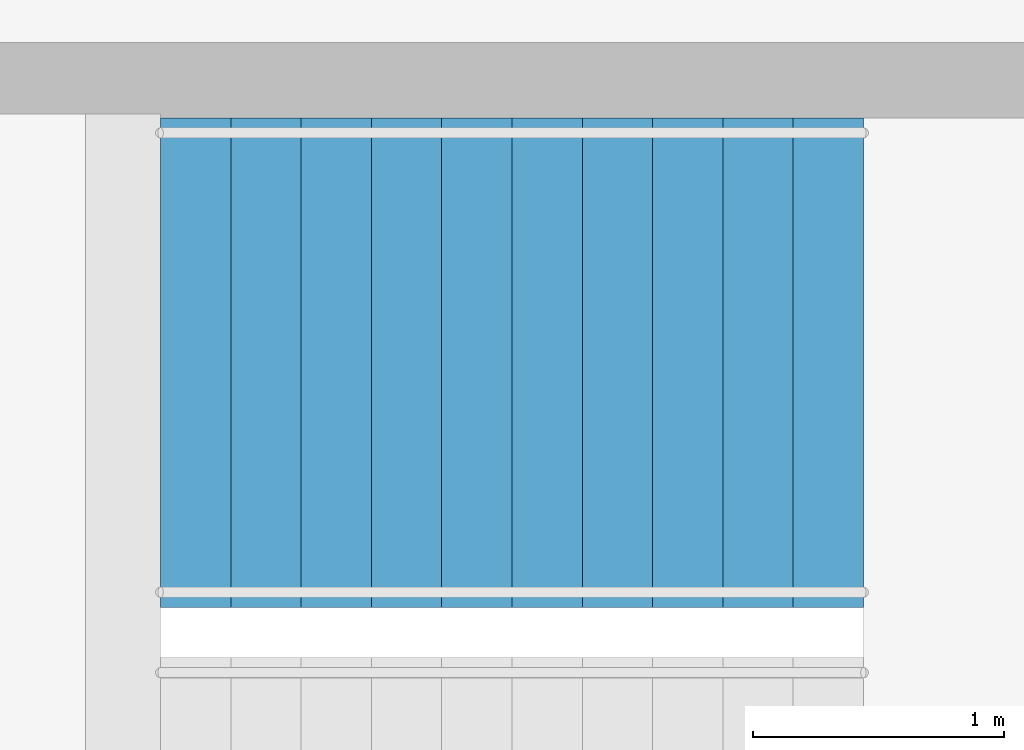
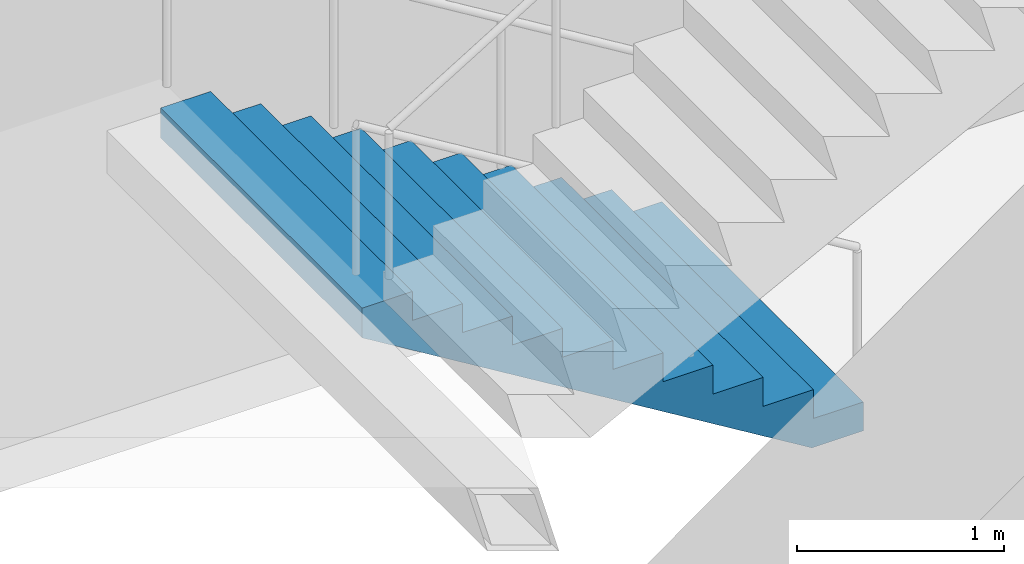
# One storey, part 23 of 24: 1 stair flight, 1 element without a shape of its own.
"""IFC4 building model written with IfcOpenShell, lengths in metres."""

import ifcopenshell
import ifcopenshell.guid

model = None  # the IFC model being written
_history = None  # IfcOwnerHistory: only IFC2X3 demands one
_inside = {}  # id of a spatial element -> (the spatial element, [elements in it])
_under = {}  # id of a project, library or spatial element -> (it, [spatial elements below it])
_declared = {}  # id of a project -> (the project, [libraries it declares])
_typed = {}  # id of a type object -> (the type object, [elements of that type])
_made_of = {}  # id of a material, layer set ... -> (it, [elements and type objects made of it])


def new_model(schema):
    """Start an empty IFC model of exactly this schema.

    Asked for "IFC4X3", IfcOpenShell would pick the latest addendum, in which some entities
    have other attributes; the version numbers below select the first issue.
    IFC2X3 requires an IfcOwnerHistory on every rooted entity: one is made here for all.
    """
    global model, _history
    if schema == "IFC4X3":
        model = ifcopenshell.file(schema_version=(4, 3, 0, 0))
    else:
        model = ifcopenshell.file(schema=schema)
    _inside.clear()
    _under.clear()
    _declared.clear()
    _typed.clear()
    _made_of.clear()
    _history = None
    if model.schema == "IFC2X3":
        org = make("IfcOrganization", Name="unknown")
        user = make(
            "IfcPersonAndOrganization",
            ThePerson=make("IfcPerson", FamilyName="unknown"),
            TheOrganization=org,
        )
        app = make(
            "IfcApplication",
            ApplicationDeveloper=org,
            Version="unknown",
            ApplicationFullName="unknown",
            ApplicationIdentifier="unknown",
        )
        _history = make(
            "IfcOwnerHistory",
            OwningUser=user,
            OwningApplication=app,
            ChangeAction="ADDED",
            CreationDate=0,
        )
    return model


def make(cls, **values):
    """One entity of the class cls with the attributes given. An attribute that is None is left unset."""
    return model.create_entity(
        cls, **{name: value for name, value in values.items() if value is not None}
    )


def rooted(cls, **values):
    """An entity with a GlobalId (a new one), such as an element, a storey or a relation."""
    return make(cls, GlobalId=ifcopenshell.guid.new(), OwnerHistory=_history, **values)


def si_unit(unit_type, name, prefix=None):
    """IfcSIUnit, for example si_unit("LENGTHUNIT", "METRE", prefix="MILLI")."""
    return make("IfcSIUnit", UnitType=unit_type, Prefix=prefix, Name=name)


def assignment(units):
    """IfcUnitAssignment: the units of a project."""
    return None if units is None else make("IfcUnitAssignment", Units=units)


def point(xyz):
    """IfcCartesianPoint."""
    return None if xyz is None else make("IfcCartesianPoint", Coordinates=xyz)


def direction(xyz):
    """IfcDirection."""
    return None if xyz is None else make("IfcDirection", DirectionRatios=xyz)


def frame(location, z_axis=None, x_axis=None):
    """IfcAxis2Placement3D, a coordinate frame: its origin and axes. An axis left out is left unset."""
    return make(
        "IfcAxis2Placement3D",
        Location=point(location),
        Axis=direction(z_axis),
        RefDirection=direction(x_axis),
    )


def origin():
    """The frame at (0, 0, 0) with its axes left unset."""
    return frame((0.0, 0.0, 0.0))


def place(relative_to, where):
    """IfcLocalPlacement: puts the frame where relative to a parent placement (None: the world)."""
    return make(
        "IfcLocalPlacement", PlacementRelTo=relative_to, RelativePlacement=where
    )


def context(
    kind, dimensions, precision=None, world=None, true_north=None, identifier=None
):
    """IfcGeometricRepresentationContext, for example the 3D "Model" context."""
    return make(
        "IfcGeometricRepresentationContext",
        ContextIdentifier=identifier,
        ContextType=kind,
        CoordinateSpaceDimension=dimensions,
        Precision=precision,
        WorldCoordinateSystem=world,
        TrueNorth=true_north,
    )


def subcontext(parent, identifier, kind, view, scale=None):
    """IfcGeometricRepresentationSubContext, for example "Body" below "Model"."""
    return make(
        "IfcGeometricRepresentationSubContext",
        ContextIdentifier=identifier,
        ContextType=kind,
        ParentContext=parent,
        TargetScale=scale,
        TargetView=view,
    )


def project(units=None, contexts=None):
    """IfcProject with its units and contexts."""
    return rooted(
        "IfcProject",
        Name="project",
        RepresentationContexts=contexts,
        UnitsInContext=assignment(units),
    )


def spatial(cls, under=None, at=None, **own):
    """A site, building, storey or space (cls), placed at a placement, below another one or the project."""
    s = rooted(cls, ObjectPlacement=at, **own)
    if under is not None:
        _under.setdefault(under.id(), (under, []))[1].append(s)
    return s


def point_list(points):
    """IfcCartesianPointList2D or 3D."""
    cls = (
        "IfcCartesianPointList2D" if len(points[0]) == 2 else "IfcCartesianPointList3D"
    )
    return make(cls, CoordList=points)


def triangles(points, corners, closed=None, point_numbers=None):
    """IfcTriangulatedFaceSet: each triangle names its three corners, points numbered from 1."""
    return make(
        "IfcTriangulatedFaceSet",
        Coordinates=point_list(points),
        Closed=closed,
        CoordIndex=corners,
        PnIndex=point_numbers,
    )


def shape(context_of_items, identifier, shape_type, items):
    """IfcShapeRepresentation: the items that make up one representation, for example the "Body"."""
    return make(
        "IfcShapeRepresentation",
        ContextOfItems=context_of_items,
        RepresentationIdentifier=identifier,
        RepresentationType=shape_type,
        Items=items,
    )


def material(Name=None, Category=None):
    """IfcMaterial."""
    return make("IfcMaterial", Name=Name, Category=Category)


def made_of(thing, what):
    """Note that an element or type object is made of a material, layer set ...; save() writes the relation."""
    if what is not None:
        _made_of.setdefault(what.id(), (what, []))[1].append(thing)
    return thing


def type_object(cls, material=None, **own):
    """A type object (cls), such as IfcWallType, which elements share."""
    return made_of(rooted(cls, **own), material)


def element(
    cls,
    number,
    at=None,
    inside=None,
    cuts=None,
    type_object=None,
    material=None,
    context=None,
    identifier="Body",
    shape_type=None,
    held_by="IfcProductDefinitionShape",
    body=None,
    shapes=None,
    **own,
):
    """One element of the class cls, such as IfcWall. Its Tag is "e" and its number.

    at: its placement. inside: the storey or other place that contains it. cuts: it is an
    opening in that element (IfcRelVoidsElement). A single representation is given by context,
    identifier, shape_type and body (its items); several are given by shapes. held_by: the class
    of the entity that holds the representations. save() writes the other relations.
    """
    e = rooted(cls, Tag="e%d" % number, ObjectPlacement=at, **own)
    if body is not None:
        shapes = [shape(context, identifier, shape_type, body)]
    if shapes is not None:
        e.Representation = make(held_by, Representations=shapes)
    if inside is not None:
        _inside.setdefault(inside.id(), (inside, []))[1].append(e)
    if cuts is not None:
        rooted(
            "IfcRelVoidsElement", RelatingBuildingElement=cuts, RelatedOpeningElement=e
        )
    if type_object is not None:
        _typed.setdefault(type_object.id(), (type_object, []))[1].append(e)
    return made_of(e, material)


def aggregate(whole, parts):
    """IfcRelAggregates: a whole, such as a stair, and the parts it consists of."""
    return rooted("IfcRelAggregates", RelatingObject=whole, RelatedObjects=parts)


def save(model, path):
    """Write the relations noted so far, then the file.

    IfcRelAggregates (storeys below a building ...), IfcRelContainedInSpatialStructure (elements
    in a storey), IfcRelDefinesByType, IfcRelAssociatesMaterial and IfcRelDeclares: one each for
    every whole, place, type object, material and project.
    """
    for whole, parts in _under.values():
        aggregate(whole, parts)
    for where, things in _inside.values():
        rooted(
            "IfcRelContainedInSpatialStructure",
            RelatedElements=things,
            RelatingStructure=where,
        )
    for kind, things in _typed.values():
        rooted("IfcRelDefinesByType", RelatedObjects=things, RelatingType=kind)
    for what, things in _made_of.values():
        rooted("IfcRelAssociatesMaterial", RelatedObjects=things, RelatingMaterial=what)
    for by, libraries in _declared.values():
        rooted("IfcRelDeclares", RelatingContext=by, RelatedDefinitions=libraries)
    model.write(path)


model = new_model("IFC4")

# Units and contexts
model_context = context("Model", 3, precision=1e-05, world=origin(), true_north=direction((0.0, 1.0)))
body_context = subcontext(model_context, "Body", "Model", "MODEL_VIEW")
ifc_project = project(units=[si_unit("LENGTHUNIT", "METRE"), si_unit("AREAUNIT", "SQUARE_METRE"), si_unit("VOLUMEUNIT", "CUBIC_METRE"), si_unit("PLANEANGLEUNIT", "RADIAN"), si_unit("MASSUNIT", "GRAM", prefix="KILO")], contexts=[model_context])

# Site, building, storey
site_placement = place(None, origin())
site = spatial("IfcSite", under=ifc_project, at=site_placement, CompositionType="ELEMENT")
building_placement = place(site_placement, origin())
building = spatial("IfcBuilding", under=site, at=building_placement, Name="Orbita Commons", CompositionType="ELEMENT")
storey_placement = place(building_placement, frame((0.0, 0.0, 242.800048828125)))
storey = spatial("IfcBuildingStorey", under=building, at=storey_placement, Name="L60", CompositionType="ELEMENT", Elevation=242.800048828125)

# Stair, stair flight
ifc_material_1 = material(Name="Precast concrete C40/50", Category="concrete")
stair_type = type_object("IfcStairType", Name="Exit stair S2 2 flights 11 risers 170", PredefinedType="HALF_TURN_STAIR", material=ifc_material_1)
stair_placement = place(storey_placement, origin())
stair = element("IfcStair", 1, at=stair_placement, inside=storey, type_object=stair_type, Name="Exit stair S2 L60", PredefinedType="HALF_TURN_STAIR")
ifc_material_2 = material(Name="Precast concrete C40/50", Category="concrete")
stair_flight_type = type_object("IfcStairFlightType", Name="Stair flight 11 risers 170 x 280", PredefinedType="STRAIGHT", material=ifc_material_2)
stair_flight_placement = place(storey_placement, frame((63.550048828125, 29.27490234375, 0.0), z_axis=(0.0, 0.0, 1.0), x_axis=(-1.0, 0.0, 0.0)))
stair_flight = element("IfcStairFlight", 2, at=stair_flight_placement, type_object=stair_flight_type, Name="S2 flight 1", NumberOfRisers=11, NumberOfTreads=10, PredefinedType="STRAIGHT", RiserHeight=0.170454545, TreadLength=0.28, context=body_context, shape_type="Tessellation", body=[
    triangles([(0.0, 0.974976, 0.0), (0.0, 0.974976, 0.021307), (0.0, 0.81248, 0.021307), (0.0, 0.81248, 0.0), (0.0, 0.649984, 0.021307), (0.0, 0.649984, 0.0), (0.0, 0.487488, 0.021307), (0.0, 0.487488, 0.0), (0.0, 0.324992, 0.021307), (0.0, 0.324992, 0.0), (0.0, 0.162496, 0.021307), (0.0, 0.162496, 0.0), (0.0, 0.0, 0.021307), (0.0, 0.0, 0.0), (0.0, -0.162496, 0.021307), (0.0, -0.162496, 0.0), (0.0, -0.324992, 0.021307), (0.0, -0.324992, 0.0), (0.0, -0.487488, 0.021307), (0.0, -0.487488, 0.0), (0.0, -0.649984, 0.021307), (0.0, -0.649984, 0.0), (0.0, -0.81248, 0.021307), (0.0, -0.81248, 0.0), (0.0, -0.974976, 0.021307), (0.0, -0.974976, 0.0), (0.0, 0.974976, 0.042614), (0.0, 0.81248, 0.042614), (0.0, 0.649984, 0.042614), (0.0, 0.487488, 0.042614), (0.0, 0.324992, 0.042614), (0.0, 0.162496, 0.042614), (0.0, 0.0, 0.042614), (0.0, -0.162496, 0.042614), (0.0, -0.324992, 0.042614), (0.0, -0.487488, 0.042614), (0.0, -0.649984, 0.042614), (0.0, -0.81248, 0.042614), (0.0, -0.974976, 0.042614), (0.0, 0.974976, 0.06392), (0.0, 0.81248, 0.06392), (0.0, 0.649984, 0.06392), (0.0, 0.487488, 0.06392), (0.0, 0.324992, 0.06392), (0.0, 0.162496, 0.06392), (0.0, 0.0, 0.06392), (0.0, -0.162496, 0.06392), (0.0, -0.324992, 0.06392), (0.0, -0.487488, 0.06392), (0.0, -0.649984, 0.06392), (0.0, -0.81248, 0.06392), (0.0, -0.974976, 0.06392), (0.0, 0.974976, 0.085227), (0.0, 0.81248, 0.085227), (0.0, 0.649984, 0.085227), (0.0, 0.487488, 0.085227), (0.0, 0.324992, 0.085227), (0.0, 0.162496, 0.085227), (0.0, 0.0, 0.085227), (0.0, -0.162496, 0.085227), (0.0, -0.324992, 0.085227), (0.0, -0.487488, 0.085227), (0.0, -0.649984, 0.085227), (0.0, -0.81248, 0.085227), (0.0, -0.974976, 0.085227), (0.0, 0.974976, 0.106534), (0.0, 0.81248, 0.106534), (0.0, 0.649984, 0.106534), (0.0, 0.487488, 0.106534), (0.0, 0.324992, 0.106534), (0.0, 0.162496, 0.106534), (0.0, 0.0, 0.106534), (0.0, -0.162496, 0.106534), (0.0, -0.324992, 0.106534), (0.0, -0.487488, 0.106534), (0.0, -0.649984, 0.106534), (0.0, -0.81248, 0.106534), (0.0, -0.974976, 0.106534), (0.0, 0.974976, 0.127841), (0.0, 0.81248, 0.127841), (0.0, 0.649984, 0.127841), (0.0, 0.487488, 0.127841), (0.0, 0.324992, 0.127841), (0.0, 0.162496, 0.127841), (0.0, 0.0, 0.127841), (0.0, -0.162496, 0.127841), (0.0, -0.324992, 0.127841), (0.0, -0.487488, 0.127841), (0.0, -0.649984, 0.127841), (0.0, -0.81248, 0.127841), (0.0, -0.974976, 0.127841), (0.0, 0.974976, 0.149148), (0.0, 0.81248, 0.149148), (0.0, 0.649984, 0.149148), (0.0, 0.487488, 0.149148), (0.0, 0.324992, 0.149148), (0.0, 0.162496, 0.149148), (0.0, 0.0, 0.149148), (0.0, -0.162496, 0.149148), (0.0, -0.324992, 0.149148), (0.0, -0.487488, 0.149148), (0.0, -0.649984, 0.149148), (0.0, -0.81248, 0.149148), (0.0, -0.974976, 0.149148), (0.0, 0.974976, 0.170455), (0.0, 0.81248, 0.170455), (0.0, 0.649984, 0.170455), (0.0, 0.487488, 0.170455), (0.0, 0.324992, 0.170455), (0.0, 0.162496, 0.170455), (0.0, 0.0, 0.170455), (0.0, -0.162496, 0.170455), (0.0, -0.324992, 0.170455), (0.0, -0.487488, 0.170455), (0.0, -0.649984, 0.170455), (0.0, -0.81248, 0.170455), (0.0, -0.974976, 0.170455), (0.28, 0.974976, 0.170455), (0.28, 0.81248, 0.170455), (0.28, 0.649984, 0.170455), (0.28, 0.487488, 0.170455), (0.28, 0.324992, 0.170455), (0.28, 0.162496, 0.170455), (0.28, 0.0, 0.170455), (0.28, -0.162496, 0.170455), (0.28, -0.324992, 0.170455), (0.28, -0.487488, 0.170455), (0.28, -0.649984, 0.170455), (0.28, -0.81248, 0.170455), (0.28, -0.974976, 0.170455), (0.28, 0.974976, 0.340909), (0.28, 0.81248, 0.340909), (0.28, 0.649984, 0.340909), (0.28, 0.487488, 0.340909), (0.28, 0.324992, 0.340909), (0.28, 0.162496, 0.340909), (0.28, 0.0, 0.340909), (0.28, -0.162496, 0.340909), (0.28, -0.324992, 0.340909), (0.28, -0.487488, 0.340909), (0.28, -0.649984, 0.340909), (0.28, -0.81248, 0.340909), (0.28, -0.974976, 0.340909), (0.56, 0.974976, 0.340909), (0.56, 0.81248, 0.340909), (0.56, 0.649984, 0.340909), (0.56, 0.487488, 0.340909), (0.56, 0.324992, 0.340909), (0.56, 0.162496, 0.340909), (0.56, 0.0, 0.340909), (0.56, -0.162496, 0.340909), (0.56, -0.324992, 0.340909), (0.56, -0.487488, 0.340909), (0.56, -0.649984, 0.340909), (0.56, -0.81248, 0.340909), (0.56, -0.974976, 0.340909), (0.56, 0.974976, 0.511364), (0.56, 0.81248, 0.511364), (0.56, 0.649984, 0.511364), (0.56, 0.487488, 0.511364), (0.56, 0.324992, 0.511364), (0.56, 0.162496, 0.511364), (0.56, 0.0, 0.511364), (0.56, -0.162496, 0.511364), (0.56, -0.324992, 0.511364), (0.56, -0.487488, 0.511364), (0.56, -0.649984, 0.511364), (0.56, -0.81248, 0.511364), (0.56, -0.974976, 0.511364), (0.84, 0.974976, 0.511364), (0.84, 0.81248, 0.511364), (0.84, 0.649984, 0.511364), (0.84, 0.487488, 0.511364), (0.84, 0.324992, 0.511364), (0.84, 0.162496, 0.511364), (0.84, 0.0, 0.511364), (0.84, -0.162496, 0.511364), (0.84, -0.324992, 0.511364), (0.84, -0.487488, 0.511364), (0.84, -0.649984, 0.511364), (0.84, -0.81248, 0.511364), (0.84, -0.974976, 0.511364), (0.84, 0.974976, 0.681818), (0.84, 0.81248, 0.681818), (0.84, 0.649984, 0.681818), (0.84, 0.487488, 0.681818), (0.84, 0.324992, 0.681818), (0.84, 0.162496, 0.681818), (0.84, 0.0, 0.681818), (0.84, -0.162496, 0.681818), (0.84, -0.324992, 0.681818), (0.84, -0.487488, 0.681818), (0.84, -0.649984, 0.681818), (0.84, -0.81248, 0.681818), (0.84, -0.974976, 0.681818), (1.12, 0.974976, 0.681818), (1.12, 0.81248, 0.681818), (1.12, 0.649984, 0.681818), (1.12, 0.487488, 0.681818), (1.12, 0.324992, 0.681818), (1.12, 0.162496, 0.681818), (1.12, 0.0, 0.681818), (1.12, -0.162496, 0.681818), (1.12, -0.324992, 0.681818), (1.12, -0.487488, 0.681818), (1.12, -0.649984, 0.681818), (1.12, -0.81248, 0.681818), (1.12, -0.974976, 0.681818), (1.12, 0.974976, 0.852273), (1.12, 0.81248, 0.852273), (1.12, 0.649984, 0.852273), (1.12, 0.487488, 0.852273), (1.12, 0.324992, 0.852273), (1.12, 0.162496, 0.852273), (1.12, 0.0, 0.852273), (1.12, -0.162496, 0.852273), (1.12, -0.324992, 0.852273), (1.12, -0.487488, 0.852273), (1.12, -0.649984, 0.852273), (1.12, -0.81248, 0.852273), (1.12, -0.974976, 0.852273), (1.4, 0.974976, 0.852273), (1.4, 0.81248, 0.852273), (1.4, 0.649984, 0.852273), (1.4, 0.487488, 0.852273), (1.4, 0.324992, 0.852273), (1.4, 0.162496, 0.852273), (1.4, 0.0, 0.852273), (1.4, -0.162496, 0.852273), (1.4, -0.324992, 0.852273), (1.4, -0.487488, 0.852273), (1.4, -0.649984, 0.852273), (1.4, -0.81248, 0.852273), (1.4, -0.974976, 0.852273), (1.4, 0.974976, 1.022727), (1.4, 0.81248, 1.022727), (1.4, 0.649984, 1.022727), (1.4, 0.487488, 1.022727), (1.4, 0.324992, 1.022727), (1.4, 0.162496, 1.022727), (1.4, 0.0, 1.022727), (1.4, -0.162496, 1.022727), (1.4, -0.324992, 1.022727), (1.4, -0.487488, 1.022727), (1.4, -0.649984, 1.022727), (1.4, -0.81248, 1.022727), (1.4, -0.974976, 1.022727), (1.68, 0.974976, 1.022727), (1.68, 0.81248, 1.022727), (1.68, 0.649984, 1.022727), (1.68, 0.487488, 1.022727), (1.68, 0.324992, 1.022727), (1.68, 0.162496, 1.022727), (1.68, 0.0, 1.022727), (1.68, -0.162496, 1.022727), (1.68, -0.324992, 1.022727), (1.68, -0.487488, 1.022727), (1.68, -0.649984, 1.022727), (1.68, -0.81248, 1.022727), (1.68, -0.974976, 1.022727), (1.68, 0.974976, 1.193182), (1.68, 0.81248, 1.193182), (1.68, 0.649984, 1.193182), (1.68, 0.487488, 1.193182), (1.68, 0.324992, 1.193182), (1.68, 0.162496, 1.193182), (1.68, 0.0, 1.193182), (1.68, -0.162496, 1.193182), (1.68, -0.324992, 1.193182), (1.68, -0.487488, 1.193182), (1.68, -0.649984, 1.193182), (1.68, -0.81248, 1.193182), (1.68, -0.974976, 1.193182), (1.96, 0.974976, 1.193182), (1.96, 0.81248, 1.193182), (1.96, 0.649984, 1.193182), (1.96, 0.487488, 1.193182), (1.96, 0.324992, 1.193182), (1.96, 0.162496, 1.193182), (1.96, 0.0, 1.193182), (1.96, -0.162496, 1.193182), (1.96, -0.324992, 1.193182), (1.96, -0.487488, 1.193182), (1.96, -0.649984, 1.193182), (1.96, -0.81248, 1.193182), (1.96, -0.974976, 1.193182), (1.96, 0.974976, 1.363636), (1.96, 0.81248, 1.363636), (1.96, 0.649984, 1.363636), (1.96, 0.487488, 1.363636), (1.96, 0.324992, 1.363636), (1.96, 0.162496, 1.363636), (1.96, 0.0, 1.363636), (1.96, -0.162496, 1.363636), (1.96, -0.324992, 1.363636), (1.96, -0.487488, 1.363636), (1.96, -0.649984, 1.363636), (1.96, -0.81248, 1.363636), (1.96, -0.974976, 1.363636), (2.24, 0.974976, 1.363636), (2.24, 0.81248, 1.363636), (2.24, 0.649984, 1.363636), (2.24, 0.487488, 1.363636), (2.24, 0.324992, 1.363636), (2.24, 0.162496, 1.363636), (2.24, 0.0, 1.363636), (2.24, -0.162496, 1.363636), (2.24, -0.324992, 1.363636), (2.24, -0.487488, 1.363636), (2.24, -0.649984, 1.363636), (2.24, -0.81248, 1.363636), (2.24, -0.974976, 1.363636), (2.24, 0.974976, 1.534091), (2.24, 0.81248, 1.534091), (2.24, 0.649984, 1.534091), (2.24, 0.487488, 1.534091), (2.24, 0.324992, 1.534091), (2.24, 0.162496, 1.534091), (2.24, 0.0, 1.534091), (2.24, -0.162496, 1.534091), (2.24, -0.324992, 1.534091), (2.24, -0.487488, 1.534091), (2.24, -0.649984, 1.534091), (2.24, -0.81248, 1.534091), (2.24, -0.974976, 1.534091), (2.52, 0.974976, 1.534091), (2.52, 0.81248, 1.534091), (2.52, 0.649984, 1.534091), (2.52, 0.487488, 1.534091), (2.52, 0.324992, 1.534091), (2.52, 0.162496, 1.534091), (2.52, 0.0, 1.534091), (2.52, -0.162496, 1.534091), (2.52, -0.324992, 1.534091), (2.52, -0.487488, 1.534091), (2.52, -0.649984, 1.534091), (2.52, -0.81248, 1.534091), (2.52, -0.974976, 1.534091), (2.52, 0.974976, 1.704545), (2.52, 0.81248, 1.704545), (2.52, 0.649984, 1.704545), (2.52, 0.487488, 1.704545), (2.52, 0.324992, 1.704545), (2.52, 0.162496, 1.704545), (2.52, 0.0, 1.704545), (2.52, -0.162496, 1.704545), (2.52, -0.324992, 1.704545), (2.52, -0.487488, 1.704545), (2.52, -0.649984, 1.704545), (2.52, -0.81248, 1.704545), (2.52, -0.974976, 1.704545), (2.8, 0.974976, 1.704545), (2.8, 0.81248, 1.704545), (2.8, 0.649984, 1.704545), (2.8, 0.487488, 1.704545), (2.8, 0.324992, 1.704545), (2.8, 0.162496, 1.704545), (2.8, 0.0, 1.704545), (2.8, -0.162496, 1.704545), (2.8, -0.324992, 1.704545), (2.8, -0.487488, 1.704545), (2.8, -0.649984, 1.704545), (2.8, -0.81248, 1.704545), (2.8, -0.974976, 1.704545), (2.8, 0.974976, 1.682609), (2.8, 0.81248, 1.682609), (2.8, 0.649984, 1.682609), (2.8, 0.487488, 1.682609), (2.8, 0.324992, 1.682609), (2.8, 0.162496, 1.682609), (2.8, 0.0, 1.682609), (2.8, -0.162496, 1.682609), (2.8, -0.324992, 1.682609), (2.8, -0.487488, 1.682609), (2.8, -0.649984, 1.682609), (2.8, -0.81248, 1.682609), (2.8, -0.974976, 1.682609), (2.8, 0.974976, 1.660672), (2.8, 0.81248, 1.660672), (2.8, 0.649984, 1.660672), (2.8, 0.487488, 1.660672), (2.8, 0.324992, 1.660672), (2.8, 0.162496, 1.660672), (2.8, 0.0, 1.660672), (2.8, -0.162496, 1.660672), (2.8, -0.324992, 1.660672), (2.8, -0.487488, 1.660672), (2.8, -0.649984, 1.660672), (2.8, -0.81248, 1.660672), (2.8, -0.974976, 1.660672), (2.8, 0.974976, 1.638735), (2.8, 0.81248, 1.638735), (2.8, 0.649984, 1.638735), (2.8, 0.487488, 1.638735), (2.8, 0.324992, 1.638735), (2.8, 0.162496, 1.638735), (2.8, 0.0, 1.638735), (2.8, -0.162496, 1.638735), (2.8, -0.324992, 1.638735), (2.8, -0.487488, 1.638735), (2.8, -0.649984, 1.638735), (2.8, -0.81248, 1.638735), (2.8, -0.974976, 1.638735), (2.8, 0.974976, 1.616798), (2.8, 0.81248, 1.616798), (2.8, 0.649984, 1.616798), (2.8, 0.487488, 1.616798), (2.8, 0.324992, 1.616798), (2.8, 0.162496, 1.616798), (2.8, 0.0, 1.616798), (2.8, -0.162496, 1.616798), (2.8, -0.324992, 1.616798), (2.8, -0.487488, 1.616798), (2.8, -0.649984, 1.616798), (2.8, -0.81248, 1.616798), (2.8, -0.974976, 1.616798), (2.8, 0.974976, 1.594861), (2.8, 0.81248, 1.594861), (2.8, 0.649984, 1.594861), (2.8, 0.487488, 1.594861), (2.8, 0.324992, 1.594861), (2.8, 0.162496, 1.594861), (2.8, 0.0, 1.594861), (2.8, -0.162496, 1.594861), (2.8, -0.324992, 1.594861), (2.8, -0.487488, 1.594861), (2.8, -0.649984, 1.594861), (2.8, -0.81248, 1.594861), (2.8, -0.974976, 1.594861), (2.8, 0.974976, 1.572925), (2.8, 0.81248, 1.572925), (2.8, 0.649984, 1.572925), (2.8, 0.487488, 1.572925), (2.8, 0.324992, 1.572925), (2.8, 0.162496, 1.572925), (2.8, 0.0, 1.572925), (2.8, -0.162496, 1.572925), (2.8, -0.324992, 1.572925), (2.8, -0.487488, 1.572925), (2.8, -0.649984, 1.572925), (2.8, -0.81248, 1.572925), (2.8, -0.974976, 1.572925), (2.8, 0.974976, 1.550988), (2.8, 0.81248, 1.550988), (2.8, 0.649984, 1.550988), (2.8, 0.487488, 1.550988), (2.8, 0.324992, 1.550988), (2.8, 0.162496, 1.550988), (2.8, 0.0, 1.550988), (2.8, -0.162496, 1.550988), (2.8, -0.324992, 1.550988), (2.8, -0.487488, 1.550988), (2.8, -0.649984, 1.550988), (2.8, -0.81248, 1.550988), (2.8, -0.974976, 1.550988), (2.8, 0.974976, 1.529051), (2.8, 0.81248, 1.529051), (2.8, 0.649984, 1.529051), (2.8, 0.487488, 1.529051), (2.8, 0.324992, 1.529051), (2.8, 0.162496, 1.529051), (2.8, 0.0, 1.529051), (2.8, -0.162496, 1.529051), (2.8, -0.324992, 1.529051), (2.8, -0.487488, 1.529051), (2.8, -0.649984, 1.529051), (2.8, -0.81248, 1.529051), (2.8, -0.974976, 1.529051), (0.288279, 0.974976, 0.0), (0.288279, 0.81248, 0.0), (0.288279, 0.649984, 0.0), (0.288279, 0.487488, 0.0), (0.288279, 0.324992, 0.0), (0.288279, 0.162496, 0.0), (0.288279, 0.0, 0.0), (0.288279, -0.162496, 0.0), (0.288279, -0.324992, 0.0), (0.288279, -0.487488, 0.0), (0.288279, -0.649984, 0.0), (0.288279, -0.81248, 0.0), (0.288279, -0.974976, 0.0)], [[3, 2, 1], [4, 3, 1], [5, 3, 4], [6, 5, 4], [7, 5, 6], [8, 7, 6], [9, 7, 8], [10, 9, 8], [11, 9, 10], [12, 11, 10], [13, 11, 12], [14, 13, 12], [15, 13, 14], [16, 15, 14], [17, 15, 16], [18, 17, 16], [19, 17, 18], [20, 19, 18], [21, 19, 20], [22, 21, 20], [23, 21, 22], [24, 23, 22], [25, 23, 24], [26, 25, 24], [28, 27, 2], [3, 28, 2], [29, 28, 3], [5, 29, 3], [30, 29, 5], [7, 30, 5], [31, 30, 7], [9, 31, 7], [32, 31, 9], [11, 32, 9], [33, 32, 11], [13, 33, 11], [34, 33, 13], [15, 34, 13], [35, 34, 15], [17, 35, 15], [36, 35, 17], [19, 36, 17], [37, 36, 19], [21, 37, 19], [38, 37, 21], [23, 38, 21], [39, 38, 23], [25, 39, 23], [41, 40, 27], [28, 41, 27], [42, 41, 28], [29, 42, 28], [43, 42, 29], [30, 43, 29], [44, 43, 30], [31, 44, 30], [45, 44, 31], [32, 45, 31], [46, 45, 32], [33, 46, 32], [47, 46, 33], [34, 47, 33], [48, 47, 34], [35, 48, 34], [49, 48, 35], [36, 49, 35], [50, 49, 36], [37, 50, 36], [51, 50, 37], [38, 51, 37], [52, 51, 38], [39, 52, 38], [54, 53, 40], [41, 54, 40], [55, 54, 41], [42, 55, 41], [56, 55, 42], [43, 56, 42], [57, 56, 43], [44, 57, 43], [58, 57, 44], [45, 58, 44], [59, 58, 45], [46, 59, 45], [60, 59, 46], [47, 60, 46], [61, 60, 47], [48, 61, 47], [62, 61, 48], [49, 62, 48], [63, 62, 49], [50, 63, 49], [64, 63, 50], [51, 64, 50], [65, 64, 51], [52, 65, 51], [67, 66, 53], [54, 67, 53], [68, 67, 54], [55, 68, 54], [69, 68, 55], [56, 69, 55], [70, 69, 56], [57, 70, 56], [71, 70, 57], [58, 71, 57], [72, 71, 58], [59, 72, 58], [73, 72, 59], [60, 73, 59], [74, 73, 60], [61, 74, 60], [75, 74, 61], [62, 75, 61], [76, 75, 62], [63, 76, 62], [77, 76, 63], [64, 77, 63], [78, 77, 64], [65, 78, 64], [80, 79, 66], [67, 80, 66], [81, 80, 67], [68, 81, 67], [82, 81, 68], [69, 82, 68], [83, 82, 69], [70, 83, 69], [84, 83, 70], [71, 84, 70], [85, 84, 71], [72, 85, 71], [86, 85, 72], [73, 86, 72], [87, 86, 73], [74, 87, 73], [88, 87, 74], [75, 88, 74], [89, 88, 75], [76, 89, 75], [90, 89, 76], [77, 90, 76], [91, 90, 77], [78, 91, 77], [93, 92, 79], [80, 93, 79], [94, 93, 80], [81, 94, 80], [95, 94, 81], [82, 95, 81], [96, 95, 82], [83, 96, 82], [97, 96, 83], [84, 97, 83], [98, 97, 84], [85, 98, 84], [99, 98, 85], [86, 99, 85], [100, 99, 86], [87, 100, 86], [101, 100, 87], [88, 101, 87], [102, 101, 88], [89, 102, 88], [103, 102, 89], [90, 103, 89], [104, 103, 90], [91, 104, 90], [106, 105, 92], [93, 106, 92], [107, 106, 93], [94, 107, 93], [108, 107, 94], [95, 108, 94], [109, 108, 95], [96, 109, 95], [110, 109, 96], [97, 110, 96], [111, 110, 97], [98, 111, 97], [112, 111, 98], [99, 112, 98], [113, 112, 99], [100, 113, 99], [114, 113, 100], [101, 114, 100], [115, 114, 101], [102, 115, 101], [116, 115, 102], [103, 116, 102], [117, 116, 103], [104, 117, 103], [119, 118, 105], [106, 119, 105], [120, 119, 106], [107, 120, 106], [121, 120, 107], [108, 121, 107], [122, 121, 108], [109, 122, 108], [123, 122, 109], [110, 123, 109], [124, 123, 110], [111, 124, 110], [125, 124, 111], [112, 125, 111], [126, 125, 112], [113, 126, 112], [127, 126, 113], [114, 127, 113], [128, 127, 114], [115, 128, 114], [129, 128, 115], [116, 129, 115], [130, 129, 116], [117, 130, 116], [132, 131, 118], [119, 132, 118], [133, 132, 119], [120, 133, 119], [134, 133, 120], [121, 134, 120], [135, 134, 121], [122, 135, 121], [136, 135, 122], [123, 136, 122], [137, 136, 123], [124, 137, 123], [138, 137, 124], [125, 138, 124], [139, 138, 125], [126, 139, 125], [140, 139, 126], [127, 140, 126], [141, 140, 127], [128, 141, 127], [142, 141, 128], [129, 142, 128], [143, 142, 129], [130, 143, 129], [145, 144, 131], [132, 145, 131], [146, 145, 132], [133, 146, 132], [147, 146, 133], [134, 147, 133], [148, 147, 134], [135, 148, 134], [149, 148, 135], [136, 149, 135], [150, 149, 136], [137, 150, 136], [151, 150, 137], [138, 151, 137], [152, 151, 138], [139, 152, 138], [153, 152, 139], [140, 153, 139], [154, 153, 140], [141, 154, 140], [155, 154, 141], [142, 155, 141], [156, 155, 142], [143, 156, 142], [158, 157, 144], [145, 158, 144], [159, 158, 145], [146, 159, 145], [160, 159, 146], [147, 160, 146], [161, 160, 147], [148, 161, 147], [162, 161, 148], [149, 162, 148], [163, 162, 149], [150, 163, 149], [164, 163, 150], [151, 164, 150], [165, 164, 151], [152, 165, 151], [166, 165, 152], [153, 166, 152], [167, 166, 153], [154, 167, 153], [168, 167, 154], [155, 168, 154], [169, 168, 155], [156, 169, 155], [171, 170, 157], [158, 171, 157], [172, 171, 158], [159, 172, 158], [173, 172, 159], [160, 173, 159], [174, 173, 160], [161, 174, 160], [175, 174, 161], [162, 175, 161], [176, 175, 162], [163, 176, 162], [177, 176, 163], [164, 177, 163], [178, 177, 164], [165, 178, 164], [179, 178, 165], [166, 179, 165], [180, 179, 166], [167, 180, 166], [181, 180, 167], [168, 181, 167], [182, 181, 168], [169, 182, 168], [184, 183, 170], [171, 184, 170], [185, 184, 171], [172, 185, 171], [186, 185, 172], [173, 186, 172], [187, 186, 173], [174, 187, 173], [188, 187, 174], [175, 188, 174], [189, 188, 175], [176, 189, 175], [190, 189, 176], [177, 190, 176], [191, 190, 177], [178, 191, 177], [192, 191, 178], [179, 192, 178], [193, 192, 179], [180, 193, 179], [194, 193, 180], [181, 194, 180], [195, 194, 181], [182, 195, 181], [197, 196, 183], [184, 197, 183], [198, 197, 184], [185, 198, 184], [199, 198, 185], [186, 199, 185], [200, 199, 186], [187, 200, 186], [201, 200, 187], [188, 201, 187], [202, 201, 188], [189, 202, 188], [203, 202, 189], [190, 203, 189], [204, 203, 190], [191, 204, 190], [205, 204, 191], [192, 205, 191], [206, 205, 192], [193, 206, 192], [207, 206, 193], [194, 207, 193], [208, 207, 194], [195, 208, 194], [210, 209, 196], [197, 210, 196], [211, 210, 197], [198, 211, 197], [212, 211, 198], [199, 212, 198], [213, 212, 199], [200, 213, 199], [214, 213, 200], [201, 214, 200], [215, 214, 201], [202, 215, 201], [216, 215, 202], [203, 216, 202], [217, 216, 203], [204, 217, 203], [218, 217, 204], [205, 218, 204], [219, 218, 205], [206, 219, 205], [220, 219, 206], [207, 220, 206], [221, 220, 207], [208, 221, 207], [223, 222, 209], [210, 223, 209], [224, 223, 210], [211, 224, 210], [225, 224, 211], [212, 225, 211], [226, 225, 212], [213, 226, 212], [227, 226, 213], [214, 227, 213], [228, 227, 214], [215, 228, 214], [229, 228, 215], [216, 229, 215], [230, 229, 216], [217, 230, 216], [231, 230, 217], [218, 231, 217], [232, 231, 218], [219, 232, 218], [233, 232, 219], [220, 233, 219], [234, 233, 220], [221, 234, 220], [236, 235, 222], [223, 236, 222], [237, 236, 223], [224, 237, 223], [238, 237, 224], [225, 238, 224], [239, 238, 225], [226, 239, 225], [240, 239, 226], [227, 240, 226], [241, 240, 227], [228, 241, 227], [242, 241, 228], [229, 242, 228], [243, 242, 229], [230, 243, 229], [244, 243, 230], [231, 244, 230], [245, 244, 231], [232, 245, 231], [246, 245, 232], [233, 246, 232], [247, 246, 233], [234, 247, 233], [249, 248, 235], [236, 249, 235], [250, 249, 236], [237, 250, 236], [251, 250, 237], [238, 251, 237], [252, 251, 238], [239, 252, 238], [253, 252, 239], [240, 253, 239], [254, 253, 240], [241, 254, 240], [255, 254, 241], [242, 255, 241], [256, 255, 242], [243, 256, 242], [257, 256, 243], [244, 257, 243], [258, 257, 244], [245, 258, 244], [259, 258, 245], [246, 259, 245], [260, 259, 246], [247, 260, 246], [262, 261, 248], [249, 262, 248], [263, 262, 249], [250, 263, 249], [264, 263, 250], [251, 264, 250], [265, 264, 251], [252, 265, 251], [266, 265, 252], [253, 266, 252], [267, 266, 253], [254, 267, 253], [268, 267, 254], [255, 268, 254], [269, 268, 255], [256, 269, 255], [270, 269, 256], [257, 270, 256], [271, 270, 257], [258, 271, 257], [272, 271, 258], [259, 272, 258], [273, 272, 259], [260, 273, 259], [275, 274, 261], [262, 275, 261], [276, 275, 262], [263, 276, 262], [277, 276, 263], [264, 277, 263], [278, 277, 264], [265, 278, 264], [279, 278, 265], [266, 279, 265], [280, 279, 266], [267, 280, 266], [281, 280, 267], [268, 281, 267], [282, 281, 268], [269, 282, 268], [283, 282, 269], [270, 283, 269], [284, 283, 270], [271, 284, 270], [285, 284, 271], [272, 285, 271], [286, 285, 272], [273, 286, 272], [288, 287, 274], [275, 288, 274], [289, 288, 275], [276, 289, 275], [290, 289, 276], [277, 290, 276], [291, 290, 277], [278, 291, 277], [292, 291, 278], [279, 292, 278], [293, 292, 279], [280, 293, 279], [294, 293, 280], [281, 294, 280], [295, 294, 281], [282, 295, 281], [296, 295, 282], [283, 296, 282], [297, 296, 283], [284, 297, 283], [298, 297, 284], [285, 298, 284], [299, 298, 285], [286, 299, 285], [301, 300, 287], [288, 301, 287], [302, 301, 288], [289, 302, 288], [303, 302, 289], [290, 303, 289], [304, 303, 290], [291, 304, 290], [305, 304, 291], [292, 305, 291], [306, 305, 292], [293, 306, 292], [307, 306, 293], [294, 307, 293], [308, 307, 294], [295, 308, 294], [309, 308, 295], [296, 309, 295], [310, 309, 296], [297, 310, 296], [311, 310, 297], [298, 311, 297], [312, 311, 298], [299, 312, 298], [314, 313, 300], [301, 314, 300], [315, 314, 301], [302, 315, 301], [316, 315, 302], [303, 316, 302], [317, 316, 303], [304, 317, 303], [318, 317, 304], [305, 318, 304], [319, 318, 305], [306, 319, 305], [320, 319, 306], [307, 320, 306], [321, 320, 307], [308, 321, 307], [322, 321, 308], [309, 322, 308], [323, 322, 309], [310, 323, 309], [324, 323, 310], [311, 324, 310], [325, 324, 311], [312, 325, 311], [327, 326, 313], [314, 327, 313], [328, 327, 314], [315, 328, 314], [329, 328, 315], [316, 329, 315], [330, 329, 316], [317, 330, 316], [331, 330, 317], [318, 331, 317], [332, 331, 318], [319, 332, 318], [333, 332, 319], [320, 333, 319], [334, 333, 320], [321, 334, 320], [335, 334, 321], [322, 335, 321], [336, 335, 322], [323, 336, 322], [337, 336, 323], [324, 337, 323], [338, 337, 324], [325, 338, 324], [340, 339, 326], [327, 340, 326], [341, 340, 327], [328, 341, 327], [342, 341, 328], [329, 342, 328], [343, 342, 329], [330, 343, 329], [344, 343, 330], [331, 344, 330], [345, 344, 331], [332, 345, 331], [346, 345, 332], [333, 346, 332], [347, 346, 333], [334, 347, 333], [348, 347, 334], [335, 348, 334], [349, 348, 335], [336, 349, 335], [350, 349, 336], [337, 350, 336], [351, 350, 337], [338, 351, 337], [353, 352, 339], [340, 353, 339], [354, 353, 340], [341, 354, 340], [355, 354, 341], [342, 355, 341], [356, 355, 342], [343, 356, 342], [357, 356, 343], [344, 357, 343], [358, 357, 344], [345, 358, 344], [359, 358, 345], [346, 359, 345], [360, 359, 346], [347, 360, 346], [361, 360, 347], [348, 361, 347], [362, 361, 348], [349, 362, 348], [363, 362, 349], [350, 363, 349], [364, 363, 350], [351, 364, 350], [366, 365, 352], [353, 366, 352], [367, 366, 353], [354, 367, 353], [368, 367, 354], [355, 368, 354], [369, 368, 355], [356, 369, 355], [370, 369, 356], [357, 370, 356], [371, 370, 357], [358, 371, 357], [372, 371, 358], [359, 372, 358], [373, 372, 359], [360, 373, 359], [374, 373, 360], [361, 374, 360], [375, 374, 361], [362, 375, 361], [376, 375, 362], [363, 376, 362], [377, 376, 363], [364, 377, 363], [379, 378, 365], [366, 379, 365], [380, 379, 366], [367, 380, 366], [381, 380, 367], [368, 381, 367], [382, 381, 368], [369, 382, 368], [383, 382, 369], [370, 383, 369], [384, 383, 370], [371, 384, 370], [385, 384, 371], [372, 385, 371], [386, 385, 372], [373, 386, 372], [387, 386, 373], [374, 387, 373], [388, 387, 374], [375, 388, 374], [389, 388, 375], [376, 389, 375], [390, 389, 376], [377, 390, 376], [392, 391, 378], [379, 392, 378], [393, 392, 379], [380, 393, 379], [394, 393, 380], [381, 394, 380], [395, 394, 381], [382, 395, 381], [396, 395, 382], [383, 396, 382], [397, 396, 383], [384, 397, 383], [398, 397, 384], [385, 398, 384], [399, 398, 385], [386, 399, 385], [400, 399, 386], [387, 400, 386], [401, 400, 387], [388, 401, 387], [402, 401, 388], [389, 402, 388], [403, 402, 389], [390, 403, 389], [405, 404, 391], [392, 405, 391], [406, 405, 392], [393, 406, 392], [407, 406, 393], [394, 407, 393], [408, 407, 394], [395, 408, 394], [409, 408, 395], [396, 409, 395], [410, 409, 396], [397, 410, 396], [411, 410, 397], [398, 411, 397], [412, 411, 398], [399, 412, 398], [413, 412, 399], [400, 413, 399], [414, 413, 400], [401, 414, 400], [415, 414, 401], [402, 415, 401], [416, 415, 402], [403, 416, 402], [418, 417, 404], [405, 418, 404], [419, 418, 405], [406, 419, 405], [420, 419, 406], [407, 420, 406], [421, 420, 407], [408, 421, 407], [422, 421, 408], [409, 422, 408], [423, 422, 409], [410, 423, 409], [424, 423, 410], [411, 424, 410], [425, 424, 411], [412, 425, 411], [426, 425, 412], [413, 426, 412], [427, 426, 413], [414, 427, 413], [428, 427, 414], [415, 428, 414], [429, 428, 415], [416, 429, 415], [431, 430, 417], [418, 431, 417], [432, 431, 418], [419, 432, 418], [433, 432, 419], [420, 433, 419], [434, 433, 420], [421, 434, 420], [435, 434, 421], [422, 435, 421], [436, 435, 422], [423, 436, 422], [437, 436, 423], [424, 437, 423], [438, 437, 424], [425, 438, 424], [439, 438, 425], [426, 439, 425], [440, 439, 426], [427, 440, 426], [441, 440, 427], [428, 441, 427], [442, 441, 428], [429, 442, 428], [444, 443, 430], [431, 444, 430], [445, 444, 431], [432, 445, 431], [446, 445, 432], [433, 446, 432], [447, 446, 433], [434, 447, 433], [448, 447, 434], [435, 448, 434], [449, 448, 435], [436, 449, 435], [450, 449, 436], [437, 450, 436], [451, 450, 437], [438, 451, 437], [452, 451, 438], [439, 452, 438], [453, 452, 439], [440, 453, 439], [454, 453, 440], [441, 454, 440], [455, 454, 441], [442, 455, 441], [457, 456, 443], [444, 457, 443], [458, 457, 444], [445, 458, 444], [459, 458, 445], [446, 459, 445], [460, 459, 446], [447, 460, 446], [461, 460, 447], [448, 461, 447], [462, 461, 448], [449, 462, 448], [463, 462, 449], [450, 463, 449], [464, 463, 450], [451, 464, 450], [465, 464, 451], [452, 465, 451], [466, 465, 452], [453, 466, 452], [467, 466, 453], [454, 467, 453], [468, 467, 454], [455, 468, 454], [470, 469, 456], [457, 470, 456], [471, 470, 457], [458, 471, 457], [472, 471, 458], [459, 472, 458], [473, 472, 459], [460, 473, 459], [474, 473, 460], [461, 474, 460], [475, 474, 461], [462, 475, 461], [476, 475, 462], [463, 476, 462], [477, 476, 463], [464, 477, 463], [478, 477, 464], [465, 478, 464], [479, 478, 465], [466, 479, 465], [480, 479, 466], [467, 480, 466], [481, 480, 467], [468, 481, 467], [4, 1, 469], [470, 4, 469], [6, 4, 470], [471, 6, 470], [8, 6, 471], [472, 8, 471], [10, 8, 472], [473, 10, 472], [12, 10, 473], [474, 12, 473], [14, 12, 474], [475, 14, 474], [16, 14, 475], [476, 16, 475], [18, 16, 476], [477, 18, 476], [20, 18, 477], [478, 20, 477], [22, 20, 478], [479, 22, 478], [24, 22, 479], [480, 24, 479], [26, 24, 480], [481, 26, 480], [456, 469, 1], [26, 481, 468], [443, 456, 1], [26, 468, 455], [430, 443, 1], [26, 455, 442], [417, 430, 1], [26, 442, 429], [404, 417, 1], [26, 429, 416], [391, 404, 1], [26, 416, 403], [378, 391, 1], [26, 403, 390], [365, 378, 1], [26, 390, 377], [339, 352, 365], [377, 364, 351], [326, 339, 365], [377, 351, 338], [300, 313, 326], [338, 325, 312], [300, 326, 365], [377, 338, 312], [274, 287, 300], [312, 299, 286], [274, 300, 365], [377, 312, 286], [248, 261, 274], [286, 273, 260], [248, 274, 365], [377, 286, 260], [222, 235, 248], [260, 247, 234], [222, 248, 365], [377, 260, 234], [196, 209, 222], [234, 221, 208], [196, 222, 365], [377, 234, 208], [170, 183, 196], [208, 195, 182], [170, 196, 365], [377, 208, 182], [144, 157, 170], [182, 169, 156], [144, 170, 365], [377, 182, 156], [118, 131, 144], [156, 143, 130], [118, 144, 365], [377, 156, 130], [118, 365, 1], [26, 377, 130], [92, 105, 118], [130, 117, 104], [79, 92, 118], [130, 104, 91], [66, 79, 118], [130, 91, 78], [53, 66, 118], [130, 78, 65], [40, 53, 118], [130, 65, 52], [27, 40, 118], [130, 52, 39], [2, 27, 118], [130, 39, 25], [1, 2, 118], [130, 25, 26]], closed=True),
])
aggregate(stair, [stair_flight])

save(model, "model.ifc")
